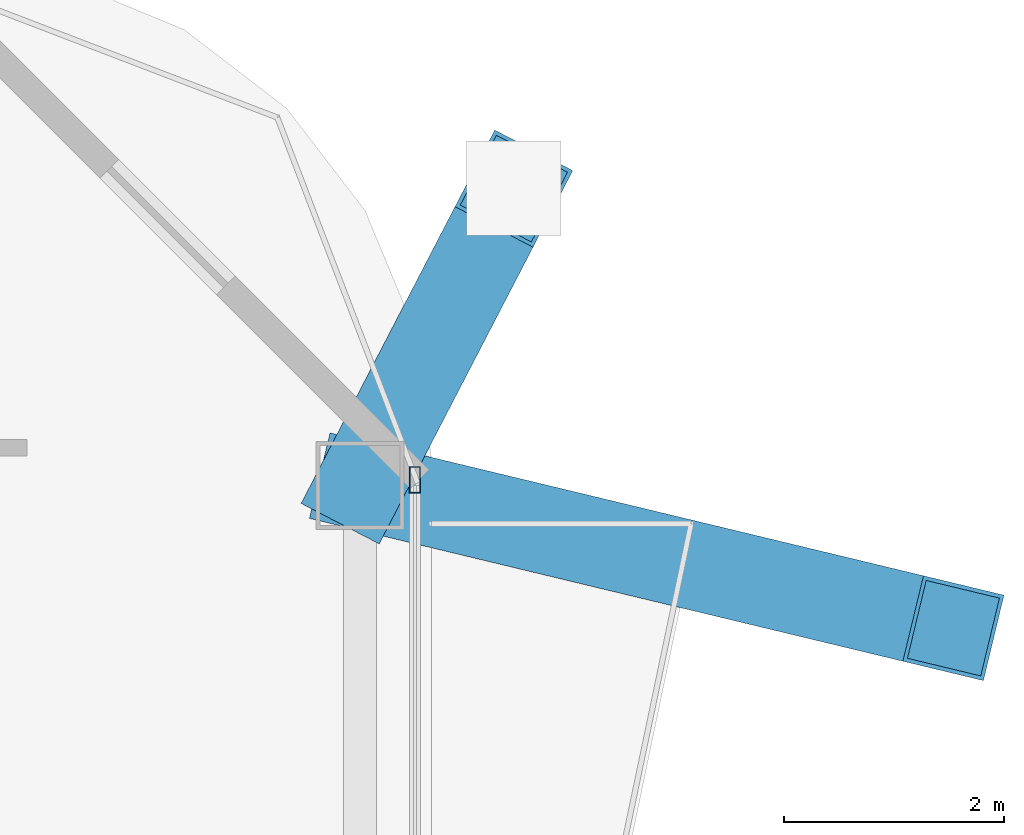
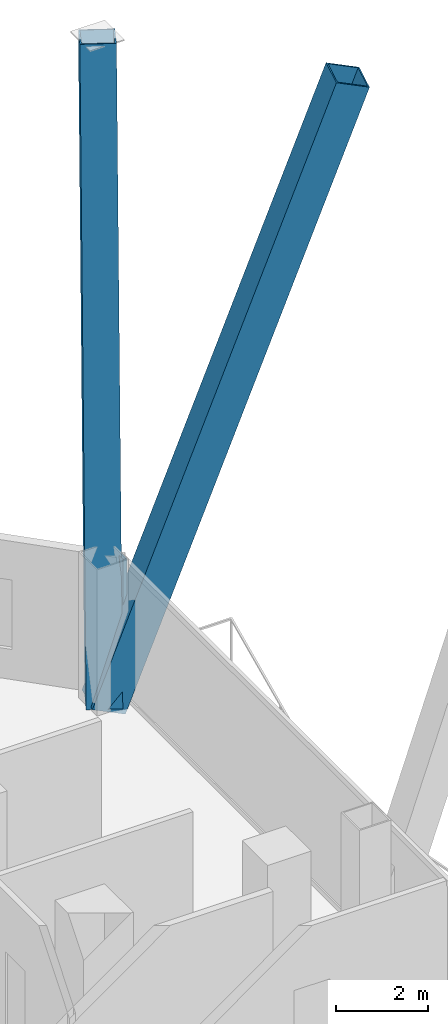
# One storey, part 20 of 32: 3 members, 1 element without a shape of its own.
"""IFC4 building model written with IfcOpenShell, lengths in metres."""

from ifc_helpers import new_model, si_unit, direction, frame, origin, origin_2d, place, context, subcontext, project, spatial, hollow_rectangle, extrude, material, layer, layer_set, material_profile, profile_set, type_object, element, aggregate, save


model = new_model("IFC4")

# Units and contexts
model_context = context("Model", 3, precision=1e-05, world=origin(), true_north=direction((0.0, 1.0)))
body_context = subcontext(model_context, "Body", "Model", "MODEL_VIEW")
ifc_project = project(units=[si_unit("LENGTHUNIT", "METRE"), si_unit("AREAUNIT", "SQUARE_METRE"), si_unit("VOLUMEUNIT", "CUBIC_METRE"), si_unit("PLANEANGLEUNIT", "RADIAN"), si_unit("MASSUNIT", "GRAM", prefix="KILO")], contexts=[model_context])

# Site, building, storey
site_placement = place(None, origin())
site = spatial("IfcSite", under=ifc_project, at=site_placement, CompositionType="ELEMENT")
building_placement = place(site_placement, origin())
building = spatial("IfcBuilding", under=site, at=building_placement, Name="Khorvyn Point Tower", CompositionType="ELEMENT")
storey_placement = place(building_placement, frame((0.0, 0.0, 93.0)))
storey = spatial("IfcBuildingStorey", under=building, at=storey_placement, Name="L23", CompositionType="ELEMENT", Elevation=93.0)

# Curtain wall, member
ifc_material_1 = material(Name="Anodised aluminium 6063-T6 and laminated Low-E glass", Category="aluminium")
ifc_layer = layer(ifc_material_1, 0.18994140625)
ifc_layer_set = layer_set([ifc_layer], Name="Stick-Built Finned Residential Curtain Wall CW-SYS-02")
curtain_wall_type = type_object("IfcCurtainWallType", Name="Stick-Built Finned Residential Curtain Wall CW-SYS-02", PredefinedType="NOTDEFINED", material=ifc_layer_set)
curtain_wall_placement = place(storey_placement, origin())
curtain_wall = element("IfcCurtainWall", 1, at=curtain_wall_placement, inside=storey, type_object=curtain_wall_type, Name="Curtain Wall", PredefinedType="NOTDEFINED")
ifc_material_2 = material(Name="Anodised aluminium 6063-T6", Category="aluminium")
ifc_material_profile_1 = material_profile(ifc_material_2, hollow_rectangle(XDim=0.10009765625, YDim=0.239990234375, WallThickness=0.0048828125, at=origin_2d()))
ifc_profile_set_1 = profile_set([ifc_material_profile_1], Name="Anodised aluminium 6063-T6 ALU-MUL-100x240")
member_type_1 = type_object("IfcMemberType", Name="Anodised Aluminium 6063-T6 Mullion ALU-MUL-100x240", PredefinedType="MULLION", material=ifc_profile_set_1)
member_1_placement = place(storey_placement, frame((22.14990234375, 26.300048828125, 0.0), z_axis=(0.0, 0.0, 1.0), x_axis=(1.0, 0.0, 0.0)))
member_1 = element("IfcMember", 2, at=member_1_placement, type_object=member_type_1, Name="Transom", PredefinedType="MULLION", context=body_context, shape_type="SweptSolid", body=[
    extrude(hollow_rectangle(XDim=0.10009765625, YDim=0.239990234375, WallThickness=0.0048828125, at=origin_2d()), origin(), (0.0, 0.0, 1.0), 3.679931640625),
])
aggregate(curtain_wall, [member_1])

# Members
ifc_material_3 = material(Name="Steel S450", Category="steel")
ifc_material_profile_2 = material_profile(ifc_material_3, hollow_rectangle(XDim=0.800048828125, YDim=0.800048828125, WallThickness=0.035888671875, at=origin_2d()))
ifc_profile_set_2 = profile_set([ifc_material_profile_2], Name="Steel S450 BOX800x800x36")
member_type_2 = type_object("IfcMemberType", Name="Steel S450 Exoskeleton Structural Post BOX800x800x36", PredefinedType="POST", material=ifc_profile_set_2)
member_2_placement = place(storey_placement, frame((21.64990234375, 26.25, 0.0), z_axis=(0.088093823474, 0.169874384273, 0.981520336943), x_axis=(-0.887731446621, 0.460361682464, 0.0)))
element("IfcMember", 3, at=member_2_placement, inside=storey, type_object=member_type_2, Name="L23 to L27 Exoskeleton Transfer Post 03", PredefinedType="POST", context=body_context, shape_type="SweptSolid", body=[
    extrude(hollow_rectangle(XDim=0.800048828125, YDim=0.800048828125, WallThickness=0.035888671875, at=origin_2d()), origin(), (0.0, 0.0, 1.0), 15.893798828125),
])
member_3_placement = place(storey_placement, frame((21.64990234375, 26.25, 0.0), z_axis=(0.326107006697, -0.078508061425, 0.942067250505), x_axis=(0.234056146704, 0.972223081494, 0.0)))
element("IfcMember", 4, at=member_3_placement, inside=storey, type_object=member_type_2, Name="L23 to L27 Exoskeleton Transfer Post 07", PredefinedType="POST", context=body_context, shape_type="SweptSolid", body=[
    extrude(hollow_rectangle(XDim=0.800048828125, YDim=0.800048828125, WallThickness=0.035888671875, at=origin_2d()), origin(), (0.0, 0.0, 1.0), 16.559326171875),
])

save(model, "model.ifc")
